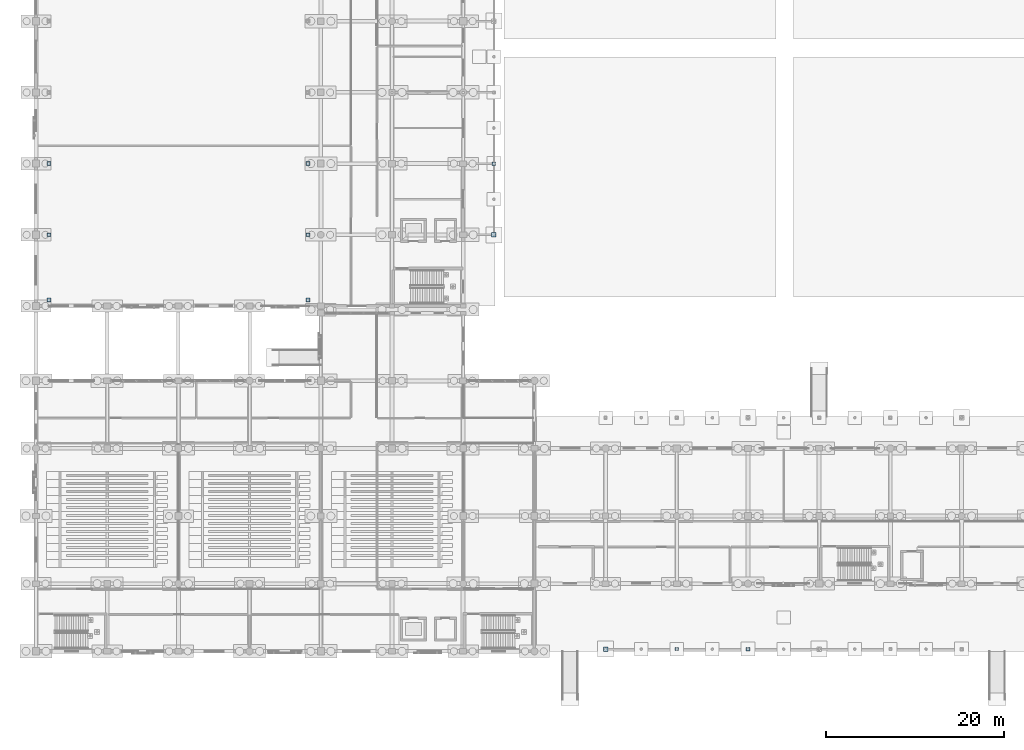
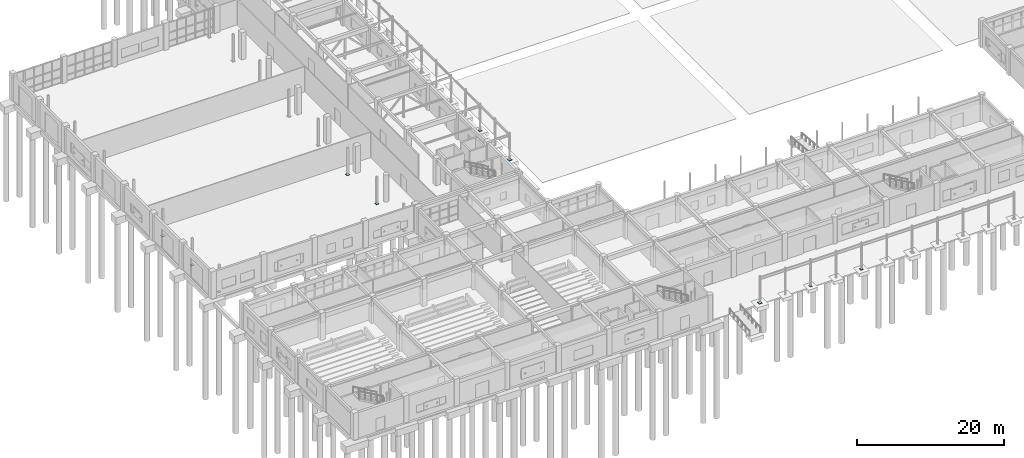
# One storey, part 119 of 166: 11 plates.
"""IFC4 building model written with IfcOpenShell, lengths in metres."""

import ifcopenshell
import ifcopenshell.guid

model = None  # the IFC model being written
_history = None  # IfcOwnerHistory: only IFC2X3 demands one
_inside = {}  # id of a spatial element -> (the spatial element, [elements in it])
_under = {}  # id of a project, library or spatial element -> (it, [spatial elements below it])
_declared = {}  # id of a project -> (the project, [libraries it declares])
_typed = {}  # id of a type object -> (the type object, [elements of that type])
_made_of = {}  # id of a material, layer set ... -> (it, [elements and type objects made of it])


def new_model(schema):
    """Start an empty IFC model of exactly this schema.

    Asked for "IFC4X3", IfcOpenShell would pick the latest addendum, in which some entities
    have other attributes; the version numbers below select the first issue.
    IFC2X3 requires an IfcOwnerHistory on every rooted entity: one is made here for all.
    """
    global model, _history
    if schema == "IFC4X3":
        model = ifcopenshell.file(schema_version=(4, 3, 0, 0))
    else:
        model = ifcopenshell.file(schema=schema)
    _inside.clear()
    _under.clear()
    _declared.clear()
    _typed.clear()
    _made_of.clear()
    _history = None
    if model.schema == "IFC2X3":
        org = make("IfcOrganization", Name="unknown")
        user = make(
            "IfcPersonAndOrganization",
            ThePerson=make("IfcPerson", FamilyName="unknown"),
            TheOrganization=org,
        )
        app = make(
            "IfcApplication",
            ApplicationDeveloper=org,
            Version="unknown",
            ApplicationFullName="unknown",
            ApplicationIdentifier="unknown",
        )
        _history = make(
            "IfcOwnerHistory",
            OwningUser=user,
            OwningApplication=app,
            ChangeAction="ADDED",
            CreationDate=0,
        )
    return model


def make(cls, **values):
    """One entity of the class cls with the attributes given. An attribute that is None is left unset."""
    return model.create_entity(
        cls, **{name: value for name, value in values.items() if value is not None}
    )


def rooted(cls, **values):
    """An entity with a GlobalId (a new one), such as an element, a storey or a relation."""
    return make(cls, GlobalId=ifcopenshell.guid.new(), OwnerHistory=_history, **values)


def si_unit(unit_type, name, prefix=None):
    """IfcSIUnit, for example si_unit("LENGTHUNIT", "METRE", prefix="MILLI")."""
    return make("IfcSIUnit", UnitType=unit_type, Prefix=prefix, Name=name)


def assignment(units):
    """IfcUnitAssignment: the units of a project."""
    return None if units is None else make("IfcUnitAssignment", Units=units)


def point(xyz):
    """IfcCartesianPoint."""
    return None if xyz is None else make("IfcCartesianPoint", Coordinates=xyz)


def direction(xyz):
    """IfcDirection."""
    return None if xyz is None else make("IfcDirection", DirectionRatios=xyz)


def frame(location, z_axis=None, x_axis=None):
    """IfcAxis2Placement3D, a coordinate frame: its origin and axes. An axis left out is left unset."""
    return make(
        "IfcAxis2Placement3D",
        Location=point(location),
        Axis=direction(z_axis),
        RefDirection=direction(x_axis),
    )


def frame_2d(location, x_axis=None):
    """IfcAxis2Placement2D, a coordinate frame in the plane: its origin and x axis."""
    return make(
        "IfcAxis2Placement2D", Location=point(location), RefDirection=direction(x_axis)
    )


def origin():
    """The frame at (0, 0, 0) with its axes left unset."""
    return frame((0.0, 0.0, 0.0))


def origin_2d():
    """The frame at (0, 0) in the plane with its x axis left unset."""
    return frame_2d((0.0, 0.0))


def place(relative_to, where):
    """IfcLocalPlacement: puts the frame where relative to a parent placement (None: the world)."""
    return make(
        "IfcLocalPlacement", PlacementRelTo=relative_to, RelativePlacement=where
    )


def context(
    kind, dimensions, precision=None, world=None, true_north=None, identifier=None
):
    """IfcGeometricRepresentationContext, for example the 3D "Model" context."""
    return make(
        "IfcGeometricRepresentationContext",
        ContextIdentifier=identifier,
        ContextType=kind,
        CoordinateSpaceDimension=dimensions,
        Precision=precision,
        WorldCoordinateSystem=world,
        TrueNorth=true_north,
    )


def subcontext(parent, identifier, kind, view, scale=None):
    """IfcGeometricRepresentationSubContext, for example "Body" below "Model"."""
    return make(
        "IfcGeometricRepresentationSubContext",
        ContextIdentifier=identifier,
        ContextType=kind,
        ParentContext=parent,
        TargetScale=scale,
        TargetView=view,
    )


def project(units=None, contexts=None):
    """IfcProject with its units and contexts."""
    return rooted(
        "IfcProject",
        Name="project",
        RepresentationContexts=contexts,
        UnitsInContext=assignment(units),
    )


def spatial(cls, under=None, at=None, **own):
    """A site, building, storey or space (cls), placed at a placement, below another one or the project."""
    s = rooted(cls, ObjectPlacement=at, **own)
    if under is not None:
        _under.setdefault(under.id(), (under, []))[1].append(s)
    return s


def profile(cls, at=None, kind="AREA", **sizes):
    """A parametric profile (cls). Its sizes go by their IFC names, for example OverallWidth=200.0."""
    return make(cls, ProfileType=kind, Position=at, **sizes)


def rectangle(**sizes):
    """IfcRectangleProfileDef."""
    return profile("IfcRectangleProfileDef", **sizes)


def extrude(swept, where, along, depth):
    """IfcExtrudedAreaSolid: the profile swept, set in the frame where, extruded along a direction by depth."""
    return make(
        "IfcExtrudedAreaSolid",
        SweptArea=swept,
        Position=where,
        ExtrudedDirection=direction(along),
        Depth=depth,
    )


def shape(context_of_items, identifier, shape_type, items):
    """IfcShapeRepresentation: the items that make up one representation, for example the "Body"."""
    return make(
        "IfcShapeRepresentation",
        ContextOfItems=context_of_items,
        RepresentationIdentifier=identifier,
        RepresentationType=shape_type,
        Items=items,
    )


def material(Name=None, Category=None):
    """IfcMaterial."""
    return make("IfcMaterial", Name=Name, Category=Category)


def made_of(thing, what):
    """Note that an element or type object is made of a material, layer set ...; save() writes the relation."""
    if what is not None:
        _made_of.setdefault(what.id(), (what, []))[1].append(thing)
    return thing


def type_object(cls, material=None, **own):
    """A type object (cls), such as IfcWallType, which elements share."""
    return made_of(rooted(cls, **own), material)


def element(
    cls,
    number,
    at=None,
    inside=None,
    cuts=None,
    type_object=None,
    material=None,
    context=None,
    identifier="Body",
    shape_type=None,
    held_by="IfcProductDefinitionShape",
    body=None,
    shapes=None,
    **own,
):
    """One element of the class cls, such as IfcWall. Its Tag is "e" and its number.

    at: its placement. inside: the storey or other place that contains it. cuts: it is an
    opening in that element (IfcRelVoidsElement). A single representation is given by context,
    identifier, shape_type and body (its items); several are given by shapes. held_by: the class
    of the entity that holds the representations. save() writes the other relations.
    """
    e = rooted(cls, Tag="e%d" % number, ObjectPlacement=at, **own)
    if body is not None:
        shapes = [shape(context, identifier, shape_type, body)]
    if shapes is not None:
        e.Representation = make(held_by, Representations=shapes)
    if inside is not None:
        _inside.setdefault(inside.id(), (inside, []))[1].append(e)
    if cuts is not None:
        rooted(
            "IfcRelVoidsElement", RelatingBuildingElement=cuts, RelatedOpeningElement=e
        )
    if type_object is not None:
        _typed.setdefault(type_object.id(), (type_object, []))[1].append(e)
    return made_of(e, material)


def aggregate(whole, parts):
    """IfcRelAggregates: a whole, such as a stair, and the parts it consists of."""
    return rooted("IfcRelAggregates", RelatingObject=whole, RelatedObjects=parts)


def save(model, path):
    """Write the relations noted so far, then the file.

    IfcRelAggregates (storeys below a building ...), IfcRelContainedInSpatialStructure (elements
    in a storey), IfcRelDefinesByType, IfcRelAssociatesMaterial and IfcRelDeclares: one each for
    every whole, place, type object, material and project.
    """
    for whole, parts in _under.values():
        aggregate(whole, parts)
    for where, things in _inside.values():
        rooted(
            "IfcRelContainedInSpatialStructure",
            RelatedElements=things,
            RelatingStructure=where,
        )
    for kind, things in _typed.values():
        rooted("IfcRelDefinesByType", RelatedObjects=things, RelatingType=kind)
    for what, things in _made_of.values():
        rooted("IfcRelAssociatesMaterial", RelatedObjects=things, RelatingMaterial=what)
    for by, libraries in _declared.values():
        rooted("IfcRelDeclares", RelatingContext=by, RelatedDefinitions=libraries)
    model.write(path)


model = new_model("IFC4")

# Units and contexts
model_context = context("Model", 3, precision=1e-05, world=origin(), true_north=direction((0.0, 1.0)))
body_context = subcontext(model_context, "Body", "Model", "MODEL_VIEW")
ifc_project = project(units=[si_unit("LENGTHUNIT", "METRE"), si_unit("AREAUNIT", "SQUARE_METRE"), si_unit("VOLUMEUNIT", "CUBIC_METRE"), si_unit("PLANEANGLEUNIT", "RADIAN"), si_unit("MASSUNIT", "GRAM", prefix="KILO")], contexts=[model_context])

# Site, building, storey
site_placement = place(None, origin())
site = spatial("IfcSite", under=ifc_project, at=site_placement, CompositionType="ELEMENT")
building_placement = place(site_placement, origin())
building = spatial("IfcBuilding", under=site, at=building_placement, Name="Kharva Crest Polytechnic", CompositionType="ELEMENT")
storey_placement = place(building_placement, origin())
storey = spatial("IfcBuildingStorey", under=building, at=storey_placement, Name="L00", CompositionType="ELEMENT", Elevation=0.0)

# Plates
ifc_material = material(Name="Steel S355", Category="steel")
plate_type_1 = type_object("IfcPlateType", Name="PLT-BASE-360X360X20", PredefinedType="USERDEFINED", material=ifc_material)
plate_placement = place(storey_placement, frame((72.0, 0.25, 0.0009765625), z_axis=(0.0, 0.0, 1.0), x_axis=(1.0, 0.0, 0.0)))
element("IfcPlate", 1, at=plate_placement, inside=storey, type_object=plate_type_1, Name="L00 Colonnade Base Plate AS02", ObjectType="BASE PLATE", PredefinedType="USERDEFINED", context=body_context, shape_type="SweptSolid", body=[
    extrude(rectangle(XDim=0.360107421875, YDim=0.360107421875, at=origin_2d()), origin(), (0.0, 0.0, 1.0), 0.02001953125),
])
plate_type_2 = type_object("IfcPlateType", Name="PLT-BASE-400X400X22", PredefinedType="USERDEFINED", material=ifc_material)
for number, where, z_axis, x_axis, name in (
    (2, (51.449951171875, 54.800048828125, 0.0), (0.0, 0.0, 1.0), (1.0, 0.0, 0.0), "L00 Colonnade Base Plate VW02"),
    (3, (80.0, 0.25, 0.0), (0.0, 0.0, 1.0), (1.0, 0.0, 0.0), "L00 Colonnade Base Plate AS03"),
):
    element("IfcPlate", number, at=place(storey_placement, frame(where, z_axis=z_axis, x_axis=x_axis)), inside=storey, type_object=plate_type_2, Name=name, ObjectType="BASE PLATE", PredefinedType="USERDEFINED", context=body_context, shape_type="SweptSolid", body=[
        extrude(rectangle(XDim=0.39990234375, YDim=0.39990234375, at=origin_2d()), origin(), (0.0, 0.0, 1.0), 0.02197265625),
    ])
plate_type_3 = type_object("IfcPlateType", Name="PLT-BASE-420X420X22", PredefinedType="USERDEFINED", material=ifc_material)
for number, where, z_axis, x_axis, name in (
    (4, (1.449951171875, 46.800048828125, 0.0009765625), (0.0, 0.0, 1.0), (1.0, 0.0, 0.0), "L00 Crane Column Base Plate W2"),
    (5, (30.550048828125, 46.800048828125, 0.0009765625), (0.0, 0.0, 1.0), (1.0, 0.0, 0.0), "L00 Crane Column Base Plate E2"),
):
    element("IfcPlate", number, at=place(storey_placement, frame(where, z_axis=z_axis, x_axis=x_axis)), inside=storey, type_object=plate_type_3, Name=name, ObjectType="BASE PLATE", PredefinedType="USERDEFINED", context=body_context, shape_type="SweptSolid", body=[
        extrude(rectangle(XDim=0.419921875, YDim=0.419921875, at=origin_2d()), origin(), (0.0, 0.0, 1.0), 0.02197265625),
    ])
plate_type_4 = type_object("IfcPlateType", Name="PLT-BASE-450X450X24", PredefinedType="USERDEFINED", material=ifc_material)
for number, where, z_axis, x_axis, name in (
    (6, (1.449951171875, 39.449951171875, 0.0), (0.0, 0.0, 1.0), (1.0, 0.0, 0.0), "L00 Crane Column Base Plate W1"),
    (7, (1.449951171875, 54.800048828125, 0.0), (0.0, 0.0, 1.0), (1.0, 0.0, 0.0), "L00 Crane Column Base Plate W3"),
    (8, (30.550048828125, 39.449951171875, 0.0), (0.0, 0.0, 1.0), (1.0, 0.0, 0.0), "L00 Crane Column Base Plate E1"),
    (9, (30.550048828125, 54.800048828125, 0.0), (0.0, 0.0, 1.0), (1.0, 0.0, 0.0), "L00 Crane Column Base Plate E3"),
):
    element("IfcPlate", number, at=place(storey_placement, frame(where, z_axis=z_axis, x_axis=x_axis)), inside=storey, type_object=plate_type_4, Name=name, ObjectType="BASE PLATE", PredefinedType="USERDEFINED", context=body_context, shape_type="SweptSolid", body=[
        extrude(rectangle(XDim=0.449951171875, YDim=0.449951171875, at=origin_2d()), origin(), (0.0, 0.0, 1.0), 0.02392578125),
    ])
plate_type_5 = type_object("IfcPlateType", Name="PLT-BASE-500X500X25", PredefinedType="USERDEFINED", material=ifc_material)
for number, where, z_axis, x_axis, name in (
    (10, (51.449951171875, 46.800048828125, -0.00146484375), (0.0, 0.0, 1.0), (1.0, 0.0, 0.0), "L00 Colonnade Base Plate VW01"),
    (11, (64.0, 0.25, -0.00146484375), (0.0, 0.0, 1.0), (1.0, 0.0, 0.0), "L00 Colonnade Base Plate AS01"),
):
    element("IfcPlate", number, at=place(storey_placement, frame(where, z_axis=z_axis, x_axis=x_axis)), inside=storey, type_object=plate_type_5, Name=name, ObjectType="BASE PLATE", PredefinedType="USERDEFINED", context=body_context, shape_type="SweptSolid", body=[
        extrude(rectangle(XDim=0.5, YDim=0.5, at=origin_2d()), origin(), (0.0, 0.0, 1.0), 0.02490234375),
    ])

save(model, "model.ifc")
